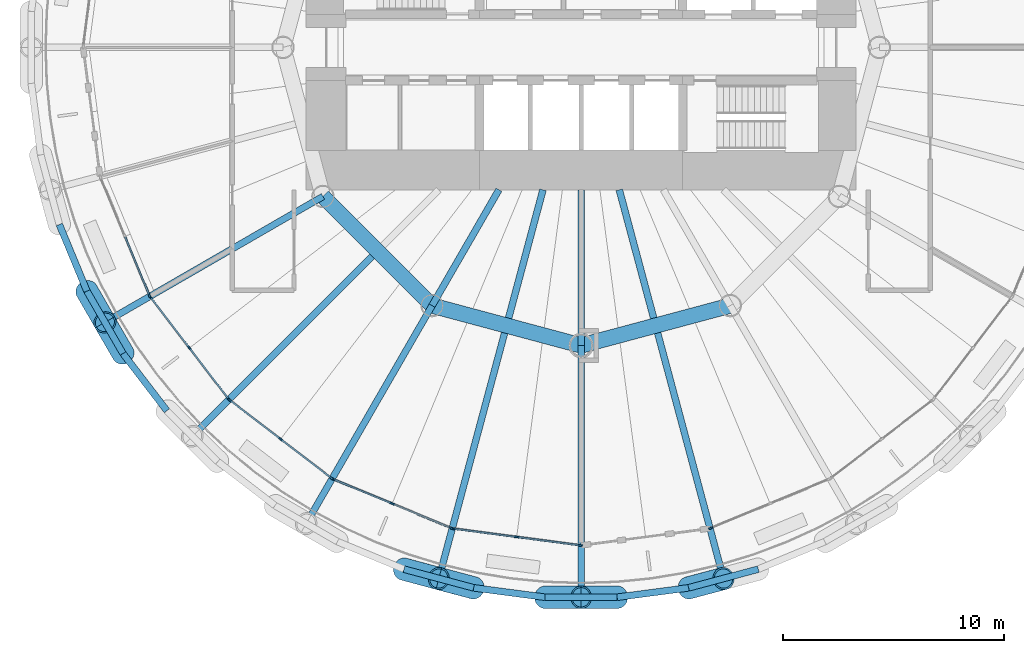
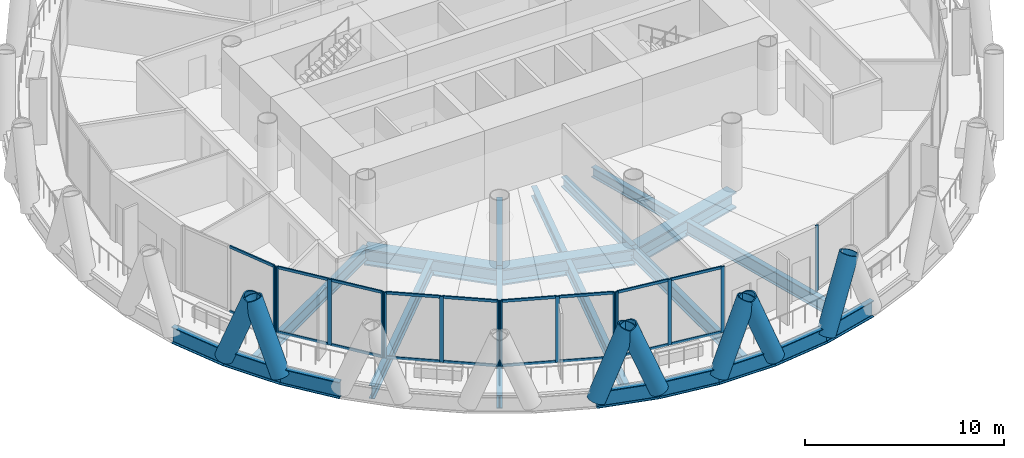
# One storey, part 2 of 16: 39 members, 21 beams, 6 elements without a shape of their own.
"""IFC4 building model written with IfcOpenShell, lengths in metres."""

from ifc_helpers import new_model, si_unit, direction, frame, origin, origin_2d, place, context, subcontext, project, spatial, rectangle, hollow_circle, i_section, extrude, material, material_profile, profile_set, type_object, element, aggregate, save


model = new_model("IFC4")

# Units and contexts
model_context = context("Model", 3, precision=1e-05, world=origin(), true_north=direction((0.0, 1.0)))
body_context = subcontext(model_context, "Body", "Model", "MODEL_VIEW")
ifc_project = project(units=[si_unit("LENGTHUNIT", "METRE"), si_unit("AREAUNIT", "SQUARE_METRE"), si_unit("VOLUMEUNIT", "CUBIC_METRE"), si_unit("PLANEANGLEUNIT", "RADIAN"), si_unit("MASSUNIT", "GRAM", prefix="KILO")], contexts=[model_context])

# Site, building, storey
site_placement = place(None, origin())
site = spatial("IfcSite", under=ifc_project, at=site_placement, CompositionType="ELEMENT")
building_placement = place(site_placement, origin())
building = spatial("IfcBuilding", under=site, at=building_placement, Name="Qaws Media Tower", CompositionType="ELEMENT")
storey_placement = place(building_placement, frame((0.0, 0.0, 139.39990234375)))
storey = spatial("IfcBuildingStorey", under=building, at=storey_placement, Name="L31", CompositionType="ELEMENT", Elevation=139.39990234375)

# Curtain wall, member
ifc_material_1 = material(Name="Aluminium and clear glass", Category="aluminium")
curtain_wall_type = type_object("IfcCurtainWallType", Name="Unitised curtain wall CW-B", PredefinedType="NOTDEFINED", material=ifc_material_1)
curtain_wall_1_placement = place(storey_placement, origin())
curtain_wall_1 = element("IfcCurtainWall", 1, at=curtain_wall_1_placement, inside=storey, type_object=curtain_wall_type, Name="CWB curtain wall L31-14", PredefinedType="NOTDEFINED")
ifc_material_2 = material(Name="Aluminium mullion", Category="aluminium")
ifc_material_profile_1 = material_profile(ifc_material_2, rectangle(XDim=0.080078125, YDim=0.199951171875, at=origin_2d()), Name="80x200")
ifc_profile_set_1 = profile_set([ifc_material_profile_1], Name="Aluminium mullion")
member_type_1 = type_object("IfcMemberType", Name="Curtain wall mullion 80x200", PredefinedType="MULLION", material=ifc_profile_set_1)
member_1_placement = place(storey_placement, frame((40.455810546875, 38.761962890625, 0.0), z_axis=(0.0, 0.0, 1.0), x_axis=(0.923879575812, 0.382683327828, 0.0)))
member_1 = element("IfcMember", 2, at=member_1_placement, type_object=member_type_1, Name="CWB mullion 3", PredefinedType="MULLION", context=body_context, shape_type="SweptSolid", body=[
    extrude(rectangle(XDim=0.080078125, YDim=0.199951171875, at=origin_2d()), origin(), (0.0, 0.0, 1.0), 4.0400390625),
])

# Curtain wall, members
curtain_wall_2_placement = place(storey_placement, origin())
curtain_wall_2 = element("IfcCurtainWall", 3, at=curtain_wall_2_placement, inside=storey, type_object=curtain_wall_type, Name="CWB curtain wall L31-15", PredefinedType="NOTDEFINED")
member_2_placement = place(storey_placement, frame((40.495361328125, 38.693359375, 0.0), z_axis=(0.0, 0.0, 1.0), x_axis=(0.793353340642, 0.608761428552, 0.0)))
member_2 = element("IfcMember", 4, at=member_2_placement, type_object=member_type_1, Name="CWB mullion 1", PredefinedType="MULLION", context=body_context, shape_type="SweptSolid", body=[
    extrude(rectangle(XDim=0.080078125, YDim=0.199951171875, at=origin_2d()), origin(), (0.0, 0.0, 1.0), 4.0400390625),
])
member_3_placement = place(storey_placement, frame((42.262939453125, 36.389892578125, 0.0), z_axis=(0.0, 0.0, 1.0), x_axis=(0.793353340642, 0.608761428552, 0.0)))
member_3 = element("IfcMember", 5, at=member_3_placement, type_object=member_type_1, Name="CWB mullion 2", PredefinedType="MULLION", context=body_context, shape_type="SweptSolid", body=[
    extrude(rectangle(XDim=0.080078125, YDim=0.199951171875, at=origin_2d()), origin(), (0.0, 0.0, 1.0), 4.0400390625),
])
member_4_placement = place(storey_placement, frame((44.0302734375, 34.08642578125, 0.0), z_axis=(0.0, 0.0, 1.0), x_axis=(0.793353340642, 0.608761428552, 0.0)))
member_4 = element("IfcMember", 6, at=member_4_placement, type_object=member_type_1, Name="CWB mullion 3", PredefinedType="MULLION", context=body_context, shape_type="SweptSolid", body=[
    extrude(rectangle(XDim=0.080078125, YDim=0.199951171875, at=origin_2d()), origin(), (0.0, 0.0, 1.0), 4.0400390625),
])

curtain_wall_3_placement = place(storey_placement, origin())
curtain_wall_3 = element("IfcCurtainWall", 7, at=curtain_wall_3_placement, inside=storey, type_object=curtain_wall_type, Name="CWB curtain wall L31-16", PredefinedType="NOTDEFINED")
member_5_placement = place(storey_placement, frame((44.08642578125, 34.0302734375, 0.0), z_axis=(0.0, 0.0, 1.0), x_axis=(0.608761428552, 0.793353340642, 0.0)))
member_5 = element("IfcMember", 8, at=member_5_placement, type_object=member_type_1, Name="CWB mullion 1", PredefinedType="MULLION", context=body_context, shape_type="SweptSolid", body=[
    extrude(rectangle(XDim=0.080078125, YDim=0.199951171875, at=origin_2d()), origin(), (0.0, 0.0, 1.0), 4.0400390625),
])
member_6_placement = place(storey_placement, frame((46.389892578125, 32.262939453125, 0.0), z_axis=(0.0, 0.0, 1.0), x_axis=(0.608761428552, 0.793353340642, 0.0)))
member_6 = element("IfcMember", 9, at=member_6_placement, type_object=member_type_1, Name="CWB mullion 2", PredefinedType="MULLION", context=body_context, shape_type="SweptSolid", body=[
    extrude(rectangle(XDim=0.080078125, YDim=0.199951171875, at=origin_2d()), origin(), (0.0, 0.0, 1.0), 4.0400390625),
])
member_7_placement = place(storey_placement, frame((48.693359375, 30.495361328125, 0.0), z_axis=(0.0, 0.0, 1.0), x_axis=(0.608761428552, 0.793353340642, 0.0)))
member_7 = element("IfcMember", 10, at=member_7_placement, type_object=member_type_1, Name="CWB mullion 3", PredefinedType="MULLION", context=body_context, shape_type="SweptSolid", body=[
    extrude(rectangle(XDim=0.080078125, YDim=0.199951171875, at=origin_2d()), origin(), (0.0, 0.0, 1.0), 4.0400390625),
])

curtain_wall_4_placement = place(storey_placement, origin())
curtain_wall_4 = element("IfcCurtainWall", 11, at=curtain_wall_4_placement, inside=storey, type_object=curtain_wall_type, Name="CWB curtain wall L31-17", PredefinedType="NOTDEFINED")
member_8_placement = place(storey_placement, frame((48.761962890625, 30.455810546875, 0.0), z_axis=(0.0, 0.0, 1.0), x_axis=(0.382683327828, 0.923879575812, 0.0)))
member_8 = element("IfcMember", 12, at=member_8_placement, type_object=member_type_1, Name="CWB mullion 1", PredefinedType="MULLION", context=body_context, shape_type="SweptSolid", body=[
    extrude(rectangle(XDim=0.080078125, YDim=0.199951171875, at=origin_2d()), origin(), (0.0, 0.0, 1.0), 4.0400390625),
])
member_9_placement = place(storey_placement, frame((51.4443359375, 29.3447265625, 0.0), z_axis=(0.0, 0.0, 1.0), x_axis=(0.382683327828, 0.923879575812, 0.0)))
member_9 = element("IfcMember", 13, at=member_9_placement, type_object=member_type_1, Name="CWB mullion 2", PredefinedType="MULLION", context=body_context, shape_type="SweptSolid", body=[
    extrude(rectangle(XDim=0.080078125, YDim=0.199951171875, at=origin_2d()), origin(), (0.0, 0.0, 1.0), 4.0400390625),
])
member_10_placement = place(storey_placement, frame((54.126708984375, 28.233642578125, 0.0), z_axis=(0.0, 0.0, 1.0), x_axis=(0.382683327828, 0.923879575812, 0.0)))
member_10 = element("IfcMember", 14, at=member_10_placement, type_object=member_type_1, Name="CWB mullion 3", PredefinedType="MULLION", context=body_context, shape_type="SweptSolid", body=[
    extrude(rectangle(XDim=0.080078125, YDim=0.199951171875, at=origin_2d()), origin(), (0.0, 0.0, 1.0), 4.0400390625),
])

curtain_wall_5_placement = place(storey_placement, origin())
curtain_wall_5 = element("IfcCurtainWall", 15, at=curtain_wall_5_placement, inside=storey, type_object=curtain_wall_type, Name="CWB curtain wall L31-18", PredefinedType="NOTDEFINED")
member_11_placement = place(storey_placement, frame((54.203369140625, 28.213134765625, 0.0), z_axis=(0.0, 0.0, 1.0), x_axis=(0.130526266402, 0.991444851608, 0.0)))
member_11 = element("IfcMember", 16, at=member_11_placement, type_object=member_type_1, Name="CWB mullion 1", PredefinedType="MULLION", context=body_context, shape_type="SweptSolid", body=[
    extrude(rectangle(XDim=0.080078125, YDim=0.199951171875, at=origin_2d()), origin(), (0.0, 0.0, 1.0), 4.0400390625),
])
member_12_placement = place(storey_placement, frame((57.081787109375, 27.834228515625, 0.0), z_axis=(0.0, 0.0, 1.0), x_axis=(0.130526266402, 0.991444851608, 0.0)))
member_12 = element("IfcMember", 17, at=member_12_placement, type_object=member_type_1, Name="CWB mullion 2", PredefinedType="MULLION", context=body_context, shape_type="SweptSolid", body=[
    extrude(rectangle(XDim=0.080078125, YDim=0.199951171875, at=origin_2d()), origin(), (0.0, 0.0, 1.0), 4.0400390625),
])
member_13_placement = place(storey_placement, frame((59.96044921875, 27.455322265625, 0.0), z_axis=(0.0, 0.0, 1.0), x_axis=(0.130526266402, 0.991444851608, 0.0)))
member_13 = element("IfcMember", 18, at=member_13_placement, type_object=member_type_1, Name="CWB mullion 3", PredefinedType="MULLION", context=body_context, shape_type="SweptSolid", body=[
    extrude(rectangle(XDim=0.080078125, YDim=0.199951171875, at=origin_2d()), origin(), (0.0, 0.0, 1.0), 4.0400390625),
])

# Curtain wall, member
curtain_wall_6_placement = place(storey_placement, origin())
curtain_wall_6 = element("IfcCurtainWall", 19, at=curtain_wall_6_placement, inside=storey, type_object=curtain_wall_type, Name="CWB curtain wall L31-20", PredefinedType="NOTDEFINED")
member_14_placement = place(storey_placement, frame((65.873291015625, 28.233642578125, 0.0), z_axis=(0.0, 0.0, 1.0), x_axis=(-0.382683327828, 0.923879575812, 0.0)))
member_14 = element("IfcMember", 20, at=member_14_placement, type_object=member_type_1, Name="CWB mullion 1", PredefinedType="MULLION", context=body_context, shape_type="SweptSolid", body=[
    extrude(rectangle(XDim=0.080078125, YDim=0.199951171875, at=origin_2d()), origin(), (0.0, 0.0, 1.0), 4.0400390625),
])
aggregate(curtain_wall_6, [member_14])

# Member
ifc_material_3 = material(Name="Aluminium transom", Category="aluminium")
ifc_material_profile_2 = material_profile(ifc_material_3, rectangle(XDim=0.080078125, YDim=0.159912109375, at=origin_2d()), Name="80x160")
ifc_profile_set_2 = profile_set([ifc_material_profile_2], Name="Aluminium transom")
member_type_2 = type_object("IfcMemberType", Name="Curtain wall transom 80x160", PredefinedType="USERDEFINED", material=ifc_profile_set_2)
member_15_placement = place(storey_placement, frame((39.360107421875, 41.407470703125, 0.0400390625), z_axis=(0.382619080086, -0.923906185473, 0.0), x_axis=(0.923906185473, 0.382619080086, 0.0)))
member_15 = element("IfcMember", 21, at=member_15_placement, type_object=member_type_2, Name="CWB transom 2.1", ObjectType="TRANSOM", PredefinedType="USERDEFINED", context=body_context, shape_type="SweptSolid", body=[
    extrude(rectangle(XDim=0.080078125, YDim=0.159912109375, at=origin_2d()), origin(), (0.0, 0.0, 1.0), 2.823486328125),
])

member_16_placement = place(storey_placement, frame((39.360107421875, 41.407470703125, 4.0), z_axis=(0.382619080086, -0.923906185473, 0.0), x_axis=(0.923906185473, 0.382619080086, 0.0)))
member_16 = element("IfcMember", 22, at=member_16_placement, type_object=member_type_2, Name="CWB transom 2.2", ObjectType="TRANSOM", PredefinedType="USERDEFINED", context=body_context, shape_type="SweptSolid", body=[
    extrude(rectangle(XDim=0.080078125, YDim=0.159912109375, at=origin_2d()), origin(), (0.0, 0.0, 1.0), 2.823486328125),
])

aggregate(curtain_wall_1, [member_1, member_15, member_16])

member_17_placement = place(storey_placement, frame((40.519775390625, 38.66162109375, 0.0400390625), z_axis=(0.608749177051, -0.793362741399, 0.0), x_axis=(0.793362741399, 0.608749177051, 0.0)))
member_17 = element("IfcMember", 23, at=member_17_placement, type_object=member_type_2, Name="CWB transom 1.1", ObjectType="TRANSOM", PredefinedType="USERDEFINED", context=body_context, shape_type="SweptSolid", body=[
    extrude(rectangle(XDim=0.080078125, YDim=0.159912109375, at=origin_2d()), origin(), (0.0, 0.0, 1.0), 2.823486328125),
])

member_18_placement = place(storey_placement, frame((40.519775390625, 38.66162109375, 4.0), z_axis=(0.608749177051, -0.793362741399, 0.0), x_axis=(0.793362741399, 0.608749177051, 0.0)))
member_18 = element("IfcMember", 24, at=member_18_placement, type_object=member_type_2, Name="CWB transom 1.2", ObjectType="TRANSOM", PredefinedType="USERDEFINED", context=body_context, shape_type="SweptSolid", body=[
    extrude(rectangle(XDim=0.080078125, YDim=0.159912109375, at=origin_2d()), origin(), (0.0, 0.0, 1.0), 2.823486328125),
])

member_19_placement = place(storey_placement, frame((42.287353515625, 36.358154296875, 0.0400390625), z_axis=(0.608749177051, -0.793362741399, 0.0), x_axis=(0.793362741399, 0.608749177051, 0.0)))
member_19 = element("IfcMember", 25, at=member_19_placement, type_object=member_type_2, Name="CWB transom 2.1", ObjectType="TRANSOM", PredefinedType="USERDEFINED", context=body_context, shape_type="SweptSolid", body=[
    extrude(rectangle(XDim=0.080078125, YDim=0.159912109375, at=origin_2d()), origin(), (0.0, 0.0, 1.0), 2.823486328125),
])

member_20_placement = place(storey_placement, frame((42.287353515625, 36.358154296875, 4.0), z_axis=(0.608749177051, -0.793362741399, 0.0), x_axis=(0.793362741399, 0.608749177051, 0.0)))
member_20 = element("IfcMember", 26, at=member_20_placement, type_object=member_type_2, Name="CWB transom 2.2", ObjectType="TRANSOM", PredefinedType="USERDEFINED", context=body_context, shape_type="SweptSolid", body=[
    extrude(rectangle(XDim=0.080078125, YDim=0.159912109375, at=origin_2d()), origin(), (0.0, 0.0, 1.0), 2.823486328125),
])

aggregate(curtain_wall_2, [member_2, member_3, member_4, member_17, member_18, member_19, member_20])

member_21_placement = place(storey_placement, frame((44.1181640625, 34.006103515625, 0.0400390625), z_axis=(0.793362741399, -0.608749177051, 0.0), x_axis=(0.608749177051, 0.793362741399, 0.0)))
member_21 = element("IfcMember", 27, at=member_21_placement, type_object=member_type_2, Name="CWB transom 1.1", ObjectType="TRANSOM", PredefinedType="USERDEFINED", context=body_context, shape_type="SweptSolid", body=[
    extrude(rectangle(XDim=0.080078125, YDim=0.159912109375, at=origin_2d()), origin(), (0.0, 0.0, 1.0), 2.823486328125),
])

member_22_placement = place(storey_placement, frame((44.1181640625, 34.006103515625, 4.0), z_axis=(0.793362741399, -0.608749177051, 0.0), x_axis=(0.608749177051, 0.793362741399, 0.0)))
member_22 = element("IfcMember", 28, at=member_22_placement, type_object=member_type_2, Name="CWB transom 1.2", ObjectType="TRANSOM", PredefinedType="USERDEFINED", context=body_context, shape_type="SweptSolid", body=[
    extrude(rectangle(XDim=0.080078125, YDim=0.159912109375, at=origin_2d()), origin(), (0.0, 0.0, 1.0), 2.823486328125),
])

member_23_placement = place(storey_placement, frame((46.421630859375, 32.238525390625, 0.0400390625), z_axis=(0.793362741399, -0.608749177051, 0.0), x_axis=(0.608749177051, 0.793362741399, 0.0)))
member_23 = element("IfcMember", 29, at=member_23_placement, type_object=member_type_2, Name="CWB transom 2.1", ObjectType="TRANSOM", PredefinedType="USERDEFINED", context=body_context, shape_type="SweptSolid", body=[
    extrude(rectangle(XDim=0.080078125, YDim=0.159912109375, at=origin_2d()), origin(), (0.0, 0.0, 1.0), 2.823486328125),
])

member_24_placement = place(storey_placement, frame((46.421630859375, 32.238525390625, 4.0), z_axis=(0.793362741399, -0.608749177051, 0.0), x_axis=(0.608749177051, 0.793362741399, 0.0)))
member_24 = element("IfcMember", 30, at=member_24_placement, type_object=member_type_2, Name="CWB transom 2.2", ObjectType="TRANSOM", PredefinedType="USERDEFINED", context=body_context, shape_type="SweptSolid", body=[
    extrude(rectangle(XDim=0.080078125, YDim=0.159912109375, at=origin_2d()), origin(), (0.0, 0.0, 1.0), 2.823486328125),
])

aggregate(curtain_wall_3, [member_5, member_6, member_7, member_21, member_22, member_23, member_24])

member_25_placement = place(storey_placement, frame((48.798828125, 30.4404296875, 0.0400390625), z_axis=(0.923906185473, -0.382619080086, 0.0), x_axis=(0.382619080086, 0.923906185473, 0.0)))
member_25 = element("IfcMember", 31, at=member_25_placement, type_object=member_type_2, Name="CWB transom 1.1", ObjectType="TRANSOM", PredefinedType="USERDEFINED", context=body_context, shape_type="SweptSolid", body=[
    extrude(rectangle(XDim=0.080078125, YDim=0.159912109375, at=origin_2d()), origin(), (0.0, 0.0, 1.0), 2.823486328125),
])

member_26_placement = place(storey_placement, frame((48.798828125, 30.4404296875, 4.0), z_axis=(0.923906185473, -0.382619080086, 0.0), x_axis=(0.382619080086, 0.923906185473, 0.0)))
member_26 = element("IfcMember", 32, at=member_26_placement, type_object=member_type_2, Name="CWB transom 1.2", ObjectType="TRANSOM", PredefinedType="USERDEFINED", context=body_context, shape_type="SweptSolid", body=[
    extrude(rectangle(XDim=0.080078125, YDim=0.159912109375, at=origin_2d()), origin(), (0.0, 0.0, 1.0), 2.823486328125),
])

member_27_placement = place(storey_placement, frame((51.481201171875, 29.329345703125, 0.0400390625), z_axis=(0.923893525329, -0.382649648969, 0.0), x_axis=(0.382649648969, 0.923893525329, 0.0)))
member_27 = element("IfcMember", 33, at=member_27_placement, type_object=member_type_2, Name="CWB transom 2.1", ObjectType="TRANSOM", PredefinedType="USERDEFINED", context=body_context, shape_type="SweptSolid", body=[
    extrude(rectangle(XDim=0.080078125, YDim=0.159912109375, at=origin_2d()), origin(), (0.0, 0.0, 1.0), 2.8232421875),
])

member_28_placement = place(storey_placement, frame((51.481201171875, 29.329345703125, 4.0), z_axis=(0.923893525329, -0.382649648969, 0.0), x_axis=(0.382649648969, 0.923893525329, 0.0)))
member_28 = element("IfcMember", 34, at=member_28_placement, type_object=member_type_2, Name="CWB transom 2.2", ObjectType="TRANSOM", PredefinedType="USERDEFINED", context=body_context, shape_type="SweptSolid", body=[
    extrude(rectangle(XDim=0.080078125, YDim=0.159912109375, at=origin_2d()), origin(), (0.0, 0.0, 1.0), 2.8232421875),
])

aggregate(curtain_wall_4, [member_8, member_9, member_10, member_25, member_26, member_27, member_28])

member_29_placement = place(storey_placement, frame((54.242919921875, 28.2080078125, 0.0400390625), z_axis=(0.991439573819, -0.130566348898, 0.0), x_axis=(0.130566348898, 0.991439573819, 0.0)))
member_29 = element("IfcMember", 35, at=member_29_placement, type_object=member_type_2, Name="CWB transom 1.1", ObjectType="TRANSOM", PredefinedType="USERDEFINED", context=body_context, shape_type="SweptSolid", body=[
    extrude(rectangle(XDim=0.080078125, YDim=0.159912109375, at=origin_2d()), origin(), (0.0, 0.0, 1.0), 2.823486328125),
])

member_30_placement = place(storey_placement, frame((54.242919921875, 28.2080078125, 4.0), z_axis=(0.991439573819, -0.130566348898, 0.0), x_axis=(0.130566348898, 0.991439573819, 0.0)))
member_30 = element("IfcMember", 36, at=member_30_placement, type_object=member_type_2, Name="CWB transom 1.2", ObjectType="TRANSOM", PredefinedType="USERDEFINED", context=body_context, shape_type="SweptSolid", body=[
    extrude(rectangle(XDim=0.080078125, YDim=0.159912109375, at=origin_2d()), origin(), (0.0, 0.0, 1.0), 2.823486328125),
])

member_31_placement = place(storey_placement, frame((57.12158203125, 27.828857421875, 0.0400390625), z_axis=(0.991449291087, -0.130492540798, 0.0), x_axis=(0.130492540798, 0.991449291087, 0.0)))
member_31 = element("IfcMember", 37, at=member_31_placement, type_object=member_type_2, Name="CWB transom 2.1", ObjectType="TRANSOM", PredefinedType="USERDEFINED", context=body_context, shape_type="SweptSolid", body=[
    extrude(rectangle(XDim=0.080078125, YDim=0.159912109375, at=origin_2d()), origin(), (0.0, 0.0, 1.0), 2.8232421875),
])

member_32_placement = place(storey_placement, frame((57.12158203125, 27.828857421875, 4.0), z_axis=(0.991449291087, -0.130492540798, 0.0), x_axis=(0.130492540798, 0.991449291087, 0.0)))
member_32 = element("IfcMember", 38, at=member_32_placement, type_object=member_type_2, Name="CWB transom 2.2", ObjectType="TRANSOM", PredefinedType="USERDEFINED", context=body_context, shape_type="SweptSolid", body=[
    extrude(rectangle(XDim=0.080078125, YDim=0.159912109375, at=origin_2d()), origin(), (0.0, 0.0, 1.0), 2.8232421875),
])

aggregate(curtain_wall_5, [member_11, member_12, member_13, member_29, member_30, member_31, member_32])

# Members
ifc_material_4 = material(Name="Steel S460", Category="steel")
ifc_material_profile_3 = material_profile(ifc_material_4, hollow_circle(Radius=0.508056640625, WallThickness=0.070068359375, at=origin_2d()), Name="CHS 1016x70")
ifc_profile_set_3 = profile_set([ifc_material_profile_3], Name="Steel S460")
member_type_3 = type_object("IfcMemberType", Name="Diagrid member CHS 1016x70", PredefinedType="USERDEFINED", material=ifc_profile_set_3)
for number, where, z_axis, x_axis, name in (
    (39, (37.623046875, 38.96484375, -0.663818359375), (0.180431724863, -0.313994548223, 0.932122211059), (0.867043661237, 0.498232164266, 0.0), "DG3 diagrid L31 A14"),
    (40, (39.2548828125, 36.138427734375, -0.663818359375), (-0.181729488712, 0.313285600397, 0.932108644696), (-0.865002619616, -0.501767344551, 0.0), "DG3 diagrid L31 B15"),
    (41, (51.97998046875, 26.3740234375, -0.663818359375), (0.349643146667, -0.094441035897, 0.932110809254), (0.260762064686, 0.965403100068, 0.0), "DG3 diagrid L31 A17"),
    (42, (58.3681640625, 25.103515625, -0.663818359375), (0.3621611329, -0.000758566107, 0.932115195882), (0.002094549565, 0.999997806429, 0.0), "DG3 diagrid L31 A18"),
    (43, (55.132568359375, 25.529296875, -0.663818359375), (-0.350022206489, 0.09303221804, 0.93211021954), (-0.256871087531, -0.966445675861, 0.0), "DG3 diagrid L31 B18"),
    (44, (64.867431640625, 25.529296875, -0.663818359375), (0.350022206489, 0.09303221804, 0.93211021954), (-0.256871087531, 0.966445675861, 0.0), "DG3 diagrid L31 A19"),
    (45, (61.6318359375, 25.103515625, -0.663818359375), (-0.3621611329, -0.000758566107, 0.932115195882), (0.002094549565, -0.999997806429, 0.0), "DG3 diagrid L31 B19"),
):
    element("IfcMember", number, at=place(storey_placement, frame(where, z_axis=z_axis, x_axis=x_axis)), inside=storey, type_object=member_type_3, Name=name, ObjectType="DIAGRID", PredefinedType="USERDEFINED", context=body_context, shape_type="SweptSolid", body=[
        extrude(hollow_circle(Radius=0.508056640625, WallThickness=0.070068359375, at=origin_2d()), origin(), (0.0, 0.0, 1.0), 4.505859375),
    ])

# Beams
ifc_material_5 = material(Name="Steel S460", Category="steel")
ifc_material_profile_4 = material_profile(ifc_material_5, i_section(OverallWidth=0.302001953125, OverallDepth=1.008056640625, WebThickness=0.02099609375, FlangeThickness=0.0400390625, FilletRadius=0.030029296875, at=origin_2d()), Name="HE 1000 M")
ifc_profile_set_4 = profile_set([ifc_material_profile_4], Name="Steel S460")
beam_type_1 = type_object("IfcBeamType", Name="Edge ring beam HE 1000 M", PredefinedType="BEAM", material=ifc_profile_set_4)
for number, where, z_axis, x_axis, name in (
    (46, (36.3740234375, 41.97998046875, -0.663818359375), (0.382712963939, -0.92386729958, 0.0), (0.92386729958, 0.382712963939, 0.0), "RB3 edge ring beam L31-27"),
    (47, (37.623046875, 38.96484375, -0.663818359375), (0.500000893942, -0.866024887666, 0.0), (0.866024887666, 0.500000893942, 0.0), "RB3 edge ring beam L31-28"),
    (48, (39.2548828125, 36.138427734375, -0.663818359375), (0.608784843592, -0.793335373101, 0.0), (0.793335373101, 0.608784843592, 0.0), "RB3 edge ring beam L31-29"),
):
    element("IfcBeam", number, at=place(storey_placement, frame(where, z_axis=z_axis, x_axis=x_axis)), inside=storey, type_object=beam_type_1, Name=name, PredefinedType="BEAM", context=body_context, shape_type="SweptSolid", body=[
        extrude(i_section(OverallWidth=0.302001953125, OverallDepth=1.008056640625, WebThickness=0.02099609375, FlangeThickness=0.0400390625, FilletRadius=0.030029296875, at=origin_2d()), origin(), (0.0, 0.0, 1.0), 3.263671875),
    ])
beam_1_placement = place(storey_placement, frame((51.97998046875, 26.3740234375, -0.663818359375), z_axis=(0.965926348444, -0.258817096385, 0.0), x_axis=(0.258817096385, 0.965926348444, 0.0)))
element("IfcBeam", 49, at=beam_1_placement, inside=storey, type_object=beam_type_1, Name="RB3 edge ring beam L31-34", PredefinedType="BEAM", context=body_context, shape_type="SweptSolid", body=[
    extrude(i_section(OverallWidth=0.302001953125, OverallDepth=1.008056640625, WebThickness=0.02099609375, FlangeThickness=0.0400390625, FilletRadius=0.030029296875, at=origin_2d()), origin(), (0.0, 0.0, 1.0), 3.263916015625),
])
beam_2_placement = place(storey_placement, frame((55.132568359375, 25.529296875, -0.663818359375), z_axis=(0.991452513055, -0.130468058762, 0.0), x_axis=(0.130468058762, 0.991452513055, 0.0)))
element("IfcBeam", 50, at=beam_2_placement, inside=storey, type_object=beam_type_1, Name="RB3 edge ring beam L31-35", PredefinedType="BEAM", context=body_context, shape_type="SweptSolid", body=[
    extrude(i_section(OverallWidth=0.302001953125, OverallDepth=1.008056640625, WebThickness=0.02099609375, FlangeThickness=0.0400390625, FilletRadius=0.030029296875, at=origin_2d()), origin(), (0.0, 0.0, 1.0), 3.263427734375),
])
beam_3_placement = place(storey_placement, frame((58.3681640625, 25.103515625, -0.663818359375), z_axis=(1.0, 0.0, 0.0), x_axis=(0.0, 1.0, 0.0)))
element("IfcBeam", 51, at=beam_3_placement, inside=storey, type_object=beam_type_1, Name="RB3 edge ring beam L31-36", PredefinedType="BEAM", context=body_context, shape_type="SweptSolid", body=[
    extrude(i_section(OverallWidth=0.302001953125, OverallDepth=1.008056640625, WebThickness=0.02099609375, FlangeThickness=0.0400390625, FilletRadius=0.030029296875, at=origin_2d()), origin(), (0.0, 0.0, 1.0), 3.263671875),
])
beam_4_placement = place(storey_placement, frame((61.6318359375, 25.103515625, -0.663818359375), z_axis=(0.991452513055, 0.130468058762, 0.0), x_axis=(-0.130468058762, 0.991452513055, 0.0)))
element("IfcBeam", 52, at=beam_4_placement, inside=storey, type_object=beam_type_1, Name="RB3 edge ring beam L31-37", PredefinedType="BEAM", context=body_context, shape_type="SweptSolid", body=[
    extrude(i_section(OverallWidth=0.302001953125, OverallDepth=1.008056640625, WebThickness=0.02099609375, FlangeThickness=0.0400390625, FilletRadius=0.030029296875, at=origin_2d()), origin(), (0.0, 0.0, 1.0), 3.263427734375),
])
beam_5_placement = place(storey_placement, frame((64.867431640625, 25.529296875, -0.663818359375), z_axis=(0.965926348444, 0.258817096385, 0.0), x_axis=(-0.258817096385, 0.965926348444, 0.0)))
element("IfcBeam", 53, at=beam_5_placement, inside=storey, type_object=beam_type_1, Name="RB3 edge ring beam L31-38", PredefinedType="BEAM", context=body_context, shape_type="SweptSolid", body=[
    extrude(i_section(OverallWidth=0.302001953125, OverallDepth=1.008056640625, WebThickness=0.02099609375, FlangeThickness=0.0400390625, FilletRadius=0.030029296875, at=origin_2d()), origin(), (0.0, 0.0, 1.0), 3.263916015625),
])
ifc_material_6 = material(Name="Steel S460", Category="steel")
ifc_material_profile_5 = material_profile(ifc_material_6, i_section(OverallWidth=0.699951171875, OverallDepth=1.0, WebThickness=0.034912109375, FlangeThickness=0.090087890625, at=origin_2d()), Name="PG 1000x700")
ifc_profile_set_5 = profile_set([ifc_material_profile_5], Name="Steel S460")
beam_type_2 = type_object("IfcBeamType", Name="Inner ring girder PG 1000x700", PredefinedType="BEAM", material=ifc_profile_set_5)
beam_6_placement = place(storey_placement, frame((48.30859375, 43.25, -0.659912109375), z_axis=(0.707106781187, -0.707106781187, 0.0), x_axis=(0.707106781187, 0.707106781187, 0.0)))
element("IfcBeam", 54, at=beam_6_placement, inside=storey, type_object=beam_type_2, Name="B3 inner ring beam L31 I08-I09", PredefinedType="BEAM", context=body_context, shape_type="SweptSolid", body=[
    extrude(i_section(OverallWidth=0.699951171875, OverallDepth=1.0, WebThickness=0.034912109375, FlangeThickness=0.090087890625, at=origin_2d()), origin(), (0.0, 0.0, 1.0), 6.98828125),
])
for number, where, z_axis, x_axis, name in (
    (55, (53.25, 38.30859375, -0.659912109375), (0.965928090778, -0.258810593767, 0.0), (0.258810593767, 0.965928090778, 0.0), "B3 inner ring beam L31 I09-I10"),
    (56, (60.0, 36.5, -0.659912109375), (0.965928090778, 0.258810593767, 0.0), (-0.258810593767, 0.965928090778, 0.0), "B3 inner ring beam L31 I10-I11"),
):
    element("IfcBeam", number, at=place(storey_placement, frame(where, z_axis=z_axis, x_axis=x_axis)), inside=storey, type_object=beam_type_2, Name=name, PredefinedType="BEAM", context=body_context, shape_type="SweptSolid", body=[
        extrude(i_section(OverallWidth=0.699951171875, OverallDepth=1.0, WebThickness=0.034912109375, FlangeThickness=0.090087890625, at=origin_2d()), origin(), (0.0, 0.0, 1.0), 6.988037109375),
    ])
ifc_material_7 = material(Name="Steel S355", Category="steel")
ifc_material_profile_6 = material_profile(ifc_material_7, i_section(OverallWidth=0.304931640625, OverallDepth=0.6201171875, WebThickness=0.02099609375, FlangeThickness=0.0400390625, FilletRadius=0.027099609375, at=origin_2d()), Name="HE 600 M")
ifc_profile_set_6 = profile_set([ifc_material_profile_6], Name="Steel S355")
beam_type_3 = type_object("IfcBeamType", Name="Radial beam HE 600 M, core side", PredefinedType="BEAM", material=ifc_profile_set_6)
beam_7_placement = place(storey_placement, frame((56.276123046875, 43.550048828125, -0.469970703125), z_axis=(-0.499995978368, -0.866027725662, 0.0), x_axis=(0.866027725662, -0.499995978368, 0.0)))
element("IfcBeam", 57, at=beam_7_placement, inside=storey, type_object=beam_type_3, Name="B2 radial beam L31 17", PredefinedType="BEAM", context=body_context, shape_type="SweptSolid", body=[
    extrude(i_section(OverallWidth=0.304931640625, OverallDepth=0.6201171875, WebThickness=0.02099609375, FlangeThickness=0.0400390625, FilletRadius=0.027099609375, at=origin_2d()), origin(), (0.0, 0.0, 1.0), 6.05224609375),
])
beam_8_placement = place(storey_placement, frame((58.271728515625, 43.550048828125, -0.469970703125), z_axis=(-0.258819977482, -0.965925576458, 0.0), x_axis=(0.965925576458, -0.258819977482, 0.0)))
element("IfcBeam", 58, at=beam_8_placement, inside=storey, type_object=beam_type_3, Name="B2 radial beam L31 18", PredefinedType="BEAM", context=body_context, shape_type="SweptSolid", body=[
    extrude(i_section(OverallWidth=0.304931640625, OverallDepth=0.6201171875, WebThickness=0.02099609375, FlangeThickness=0.0400390625, FilletRadius=0.027099609375, at=origin_2d()), origin(), (0.0, 0.0, 1.0), 6.012451171875),
])
beam_9_placement = place(storey_placement, frame((60.0, 43.550048828125, -0.469970703125), z_axis=(0.0, -1.0, 0.0), x_axis=(1.0, 0.0, 0.0)))
element("IfcBeam", 59, at=beam_9_placement, inside=storey, type_object=beam_type_3, Name="B2 radial beam L31 19", PredefinedType="BEAM", context=body_context, shape_type="SweptSolid", body=[
    extrude(i_section(OverallWidth=0.304931640625, OverallDepth=0.6201171875, WebThickness=0.02099609375, FlangeThickness=0.0400390625, FilletRadius=0.027099609375, at=origin_2d()), origin(), (0.0, 0.0, 1.0), 7.050048828125),
])
beam_10_placement = place(storey_placement, frame((61.728271484375, 43.550048828125, -0.469970703125), z_axis=(0.258819977482, -0.965925576458, 0.0), x_axis=(0.965925576458, 0.258819977482, 0.0)))
element("IfcBeam", 60, at=beam_10_placement, inside=storey, type_object=beam_type_3, Name="B2 radial beam L31 20", PredefinedType="BEAM", context=body_context, shape_type="SweptSolid", body=[
    extrude(i_section(OverallWidth=0.304931640625, OverallDepth=0.6201171875, WebThickness=0.02099609375, FlangeThickness=0.0400390625, FilletRadius=0.027099609375, at=origin_2d()), origin(), (0.0, 0.0, 1.0), 6.012451171875),
])
ifc_material_8 = material(Name="Steel S355", Category="steel")
ifc_material_profile_7 = material_profile(ifc_material_8, i_section(OverallWidth=0.300048828125, OverallDepth=0.800048828125, WebThickness=0.017578125, FlangeThickness=0.032958984375, FilletRadius=0.030029296875, at=origin_2d()), Name="HE 800 B")
ifc_profile_set_7 = profile_set([ifc_material_profile_7], Name="Steel S355")
beam_type_4 = type_object("IfcBeamType", Name="Radial beam HE 800 B", PredefinedType="BEAM", material=ifc_profile_set_7)
beam_11_placement = place(storey_placement, frame((48.30859375, 43.25, -0.559814453125), z_axis=(-0.866025051124, -0.500000610825, 0.0), x_axis=(0.500000610825, -0.866025051124, 0.0)))
element("IfcBeam", 61, at=beam_11_placement, inside=storey, type_object=beam_type_4, Name="B1 radial beam L31 15", PredefinedType="BEAM", context=body_context, shape_type="SweptSolid", body=[
    extrude(i_section(OverallWidth=0.300048828125, OverallDepth=0.800048828125, WebThickness=0.017578125, FlangeThickness=0.032958984375, FilletRadius=0.030029296875, at=origin_2d()), origin(), (0.0, 0.0, 1.0), 11.396484375),
])
beam_12_placement = place(storey_placement, frame((50.53173828125, 40.53173828125, -0.559814453125), z_axis=(-0.707106781187, -0.707106781187, 0.0), x_axis=(0.707106781187, -0.707106781187, 0.0)))
element("IfcBeam", 62, at=beam_12_placement, inside=storey, type_object=beam_type_4, Name="B1 radial beam L31 16", PredefinedType="BEAM", context=body_context, shape_type="SweptSolid", body=[
    extrude(i_section(OverallWidth=0.300048828125, OverallDepth=0.800048828125, WebThickness=0.017578125, FlangeThickness=0.032958984375, FilletRadius=0.030029296875, at=origin_2d()), origin(), (0.0, 0.0, 1.0), 11.50634765625),
])
beam_13_placement = place(storey_placement, frame((53.25, 38.30859375, -0.559814453125), z_axis=(-0.500000610825, -0.866025051124, 0.0), x_axis=(0.866025051124, -0.500000610825, 0.0)))
element("IfcBeam", 63, at=beam_13_placement, inside=storey, type_object=beam_type_4, Name="B1 radial beam L31 17", PredefinedType="BEAM", context=body_context, shape_type="SweptSolid", body=[
    extrude(i_section(OverallWidth=0.300048828125, OverallDepth=0.800048828125, WebThickness=0.017578125, FlangeThickness=0.032958984375, FilletRadius=0.030029296875, at=origin_2d()), origin(), (0.0, 0.0, 1.0), 11.396484375),
])
beam_14_placement = place(storey_placement, frame((56.534423828125, 37.066162109375, -0.559814453125), z_axis=(-0.258811384245, -0.965927878977, 0.0), x_axis=(0.965927878977, -0.258811384245, 0.0)))
element("IfcBeam", 64, at=beam_14_placement, inside=storey, type_object=beam_type_4, Name="B1 radial beam L31 18", PredefinedType="BEAM", context=body_context, shape_type="SweptSolid", body=[
    extrude(i_section(OverallWidth=0.300048828125, OverallDepth=0.800048828125, WebThickness=0.017578125, FlangeThickness=0.032958984375, FilletRadius=0.030029296875, at=origin_2d()), origin(), (0.0, 0.0, 1.0), 11.506591796875),
])
beam_15_placement = place(storey_placement, frame((60.0, 36.5, -0.559814453125), z_axis=(0.0, -1.0, 0.0), x_axis=(1.0, 0.0, 0.0)))
element("IfcBeam", 65, at=beam_15_placement, inside=storey, type_object=beam_type_4, Name="B1 radial beam L31 19", PredefinedType="BEAM", context=body_context, shape_type="SweptSolid", body=[
    extrude(i_section(OverallWidth=0.300048828125, OverallDepth=0.800048828125, WebThickness=0.017578125, FlangeThickness=0.032958984375, FilletRadius=0.030029296875, at=origin_2d()), origin(), (0.0, 0.0, 1.0), 11.396484375),
])
beam_16_placement = place(storey_placement, frame((63.465576171875, 37.066162109375, -0.559814453125), z_axis=(0.258811384245, -0.965927878977, 0.0), x_axis=(0.965927878977, 0.258811384245, 0.0)))
element("IfcBeam", 66, at=beam_16_placement, inside=storey, type_object=beam_type_4, Name="B1 radial beam L31 20", PredefinedType="BEAM", context=body_context, shape_type="SweptSolid", body=[
    extrude(i_section(OverallWidth=0.300048828125, OverallDepth=0.800048828125, WebThickness=0.017578125, FlangeThickness=0.032958984375, FilletRadius=0.030029296875, at=origin_2d()), origin(), (0.0, 0.0, 1.0), 11.506591796875),
])

save(model, "model.ifc")
